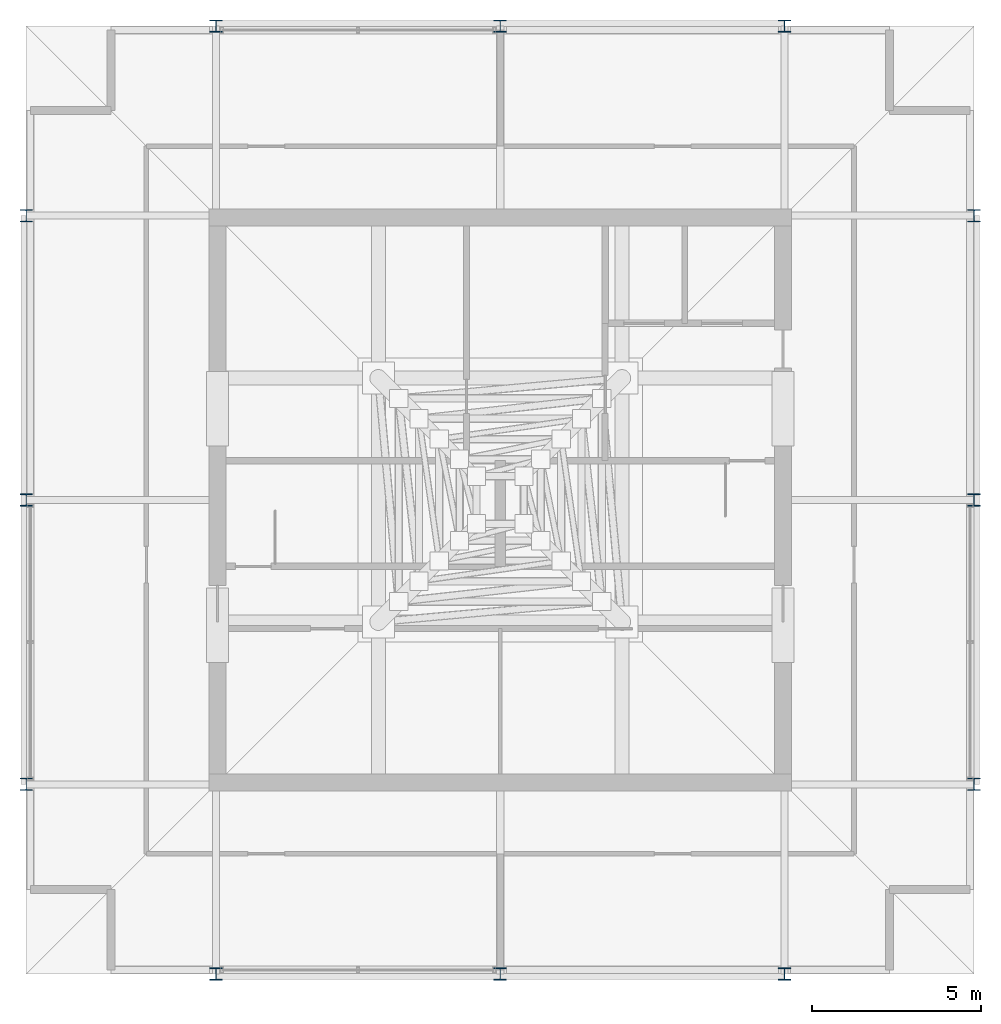
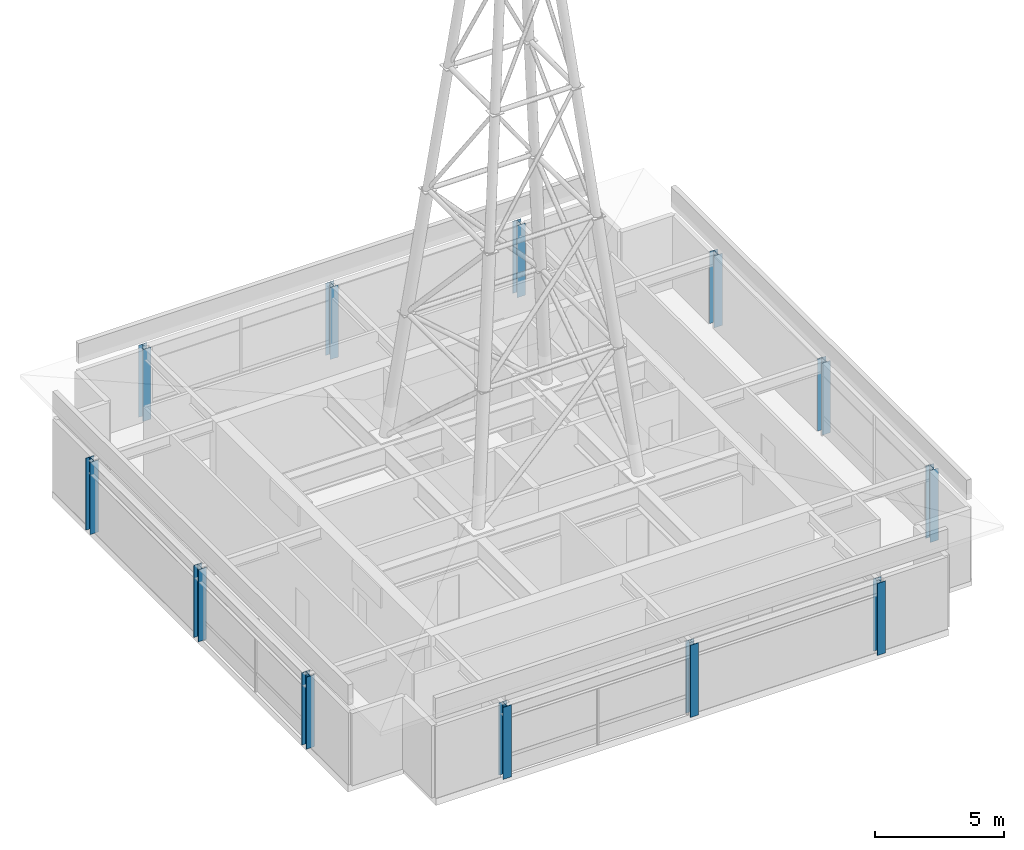
# One storey, part 1 of 13: 12 columns.
"""IFC4 building model written with IfcOpenShell, lengths in metres."""

from ifc_helpers import new_model, si_unit, direction, frame, origin, origin_2d, place, context, subcontext, project, spatial, i_section, extrude, material, material_profile, profile_set, type_object, element, save


model = new_model("IFC4")

# Units and contexts
model_context = context("Model", 3, precision=1e-05, world=origin(), true_north=direction((0.0, 1.0)))
body_context = subcontext(model_context, "Body", "Model", "MODEL_VIEW")
ifc_project = project(units=[si_unit("LENGTHUNIT", "METRE"), si_unit("AREAUNIT", "SQUARE_METRE"), si_unit("VOLUMEUNIT", "CUBIC_METRE"), si_unit("PLANEANGLEUNIT", "RADIAN"), si_unit("MASSUNIT", "GRAM", prefix="KILO")], contexts=[model_context])

# Site, building, storey
site_placement = place(None, origin())
site = spatial("IfcSite", under=ifc_project, at=site_placement, CompositionType="ELEMENT")
building_placement = place(site_placement, origin())
building = spatial("IfcBuilding", under=site, at=building_placement, Name="Drelvath Grand Hotel", CompositionType="ELEMENT")
storey_placement = place(building_placement, frame((0.0, 0.0, 323.199951171875)))
storey = spatial("IfcBuildingStorey", under=building, at=storey_placement, Name="L84", CompositionType="ELEMENT", Elevation=323.199951171875)

# Columns
ifc_material = material(Name="Steel ASTM A913 Gr 65", Category="steel")
ifc_material_profile = material_profile(ifc_material, i_section(OverallWidth=0.368896484375, OverallDepth=0.356201171875, WebThickness=0.01123046875, FlangeThickness=0.01806640625, FilletRadius=0.02490234375, at=origin_2d()), Name="W14X90")
ifc_profile_set = profile_set([ifc_material_profile], Name="Steel ASTM A913 Gr 65")
column_type = type_object("IfcColumnType", Name="Perimeter Steel Column W14X90", PredefinedType="COLUMN", material=ifc_profile_set)
for number, where, z_axis, x_axis, name in (
    (1, (-14.0, 18.60009765625, 0.0), (0.0, 0.0, 1.0), (1.0, 0.0, 0.0), "L84 Structural Column DC-W1"),
    (2, (-14.0, 27.0, 0.0), (0.0, 0.0, 1.0), (1.0, 0.0, 0.0), "L84 Structural Column DC-W2"),
    (3, (-14.0, 35.39990234375, 0.0), (0.0, 0.0, 1.0), (1.0, 0.0, 0.0), "L84 Structural Column DC-W3"),
    (4, (14.0, 18.60009765625, 0.0), (0.0, 0.0, 1.0), (1.0, 0.0, 0.0), "L84 Structural Column DC-E1"),
    (5, (14.0, 27.0, 0.0), (0.0, 0.0, 1.0), (1.0, 0.0, 0.0), "L84 Structural Column DC-E2"),
    (6, (14.0, 35.39990234375, 0.0), (0.0, 0.0, 1.0), (1.0, 0.0, 0.0), "L84 Structural Column DC-E3"),
    (7, (-8.39990234375, 13.0, 0.0), (0.0, 0.0, 1.0), (1.0, 0.0, 0.0), "L84 Structural Column DC-S1"),
    (8, (0.0, 13.0, 0.0), (0.0, 0.0, 1.0), (1.0, 0.0, 0.0), "L84 Structural Column DC-S2"),
    (9, (8.39990234375, 13.0, 0.0), (0.0, 0.0, 1.0), (1.0, 0.0, 0.0), "L84 Structural Column DC-S3"),
    (10, (-8.39990234375, 41.0, 0.0), (0.0, 0.0, 1.0), (1.0, 0.0, 0.0), "L84 Structural Column DC-N1"),
    (11, (0.0, 41.0, 0.0), (0.0, 0.0, 1.0), (1.0, 0.0, 0.0), "L84 Structural Column DC-N2"),
    (12, (8.39990234375, 41.0, 0.0), (0.0, 0.0, 1.0), (1.0, 0.0, 0.0), "L84 Structural Column DC-N3"),
):
    element("IfcColumn", number, at=place(storey_placement, frame(where, z_axis=z_axis, x_axis=x_axis)), inside=storey, type_object=column_type, Name=name, PredefinedType="COLUMN", context=body_context, shape_type="SweptSolid", body=[
        extrude(i_section(OverallWidth=0.368896484375, OverallDepth=0.356201171875, WebThickness=0.01123046875, FlangeThickness=0.01806640625, FilletRadius=0.02490234375, at=origin_2d()), origin(), (0.0, 0.0, 1.0), 3.420166015625),
    ])

save(model, "model.ifc")
